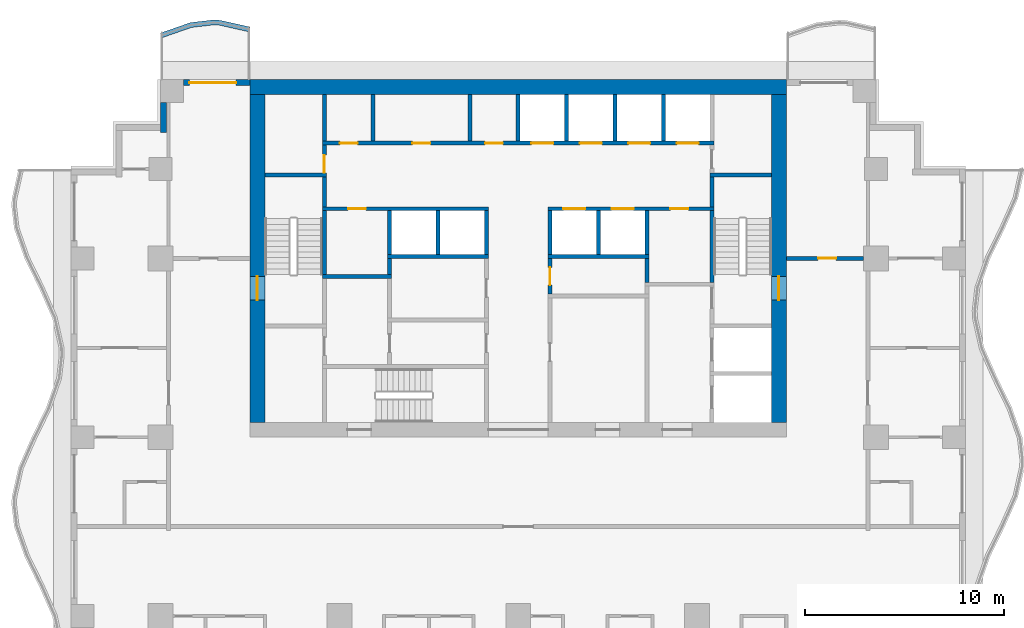
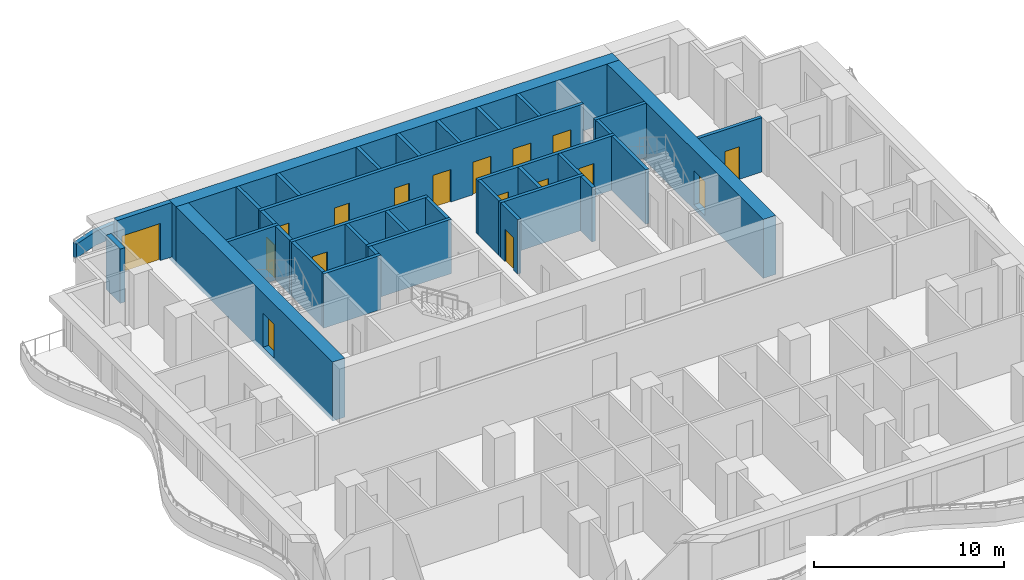
# One storey, part 5 of 10: 36 walls, 17 doors, 17 openings.
"""IFC4 building model written with IfcOpenShell, lengths in metres."""

from ifc_helpers import new_model, si_unit, direction, frame, frame_2d, origin, place, context, subcontext, project, spatial, polyline, rectangle, outline, extrude, material, layer, layer_set, type_object, element, fill, save


model = new_model("IFC4")

# Units and contexts
model_context = context("Model", 3, precision=1e-05, world=origin(), true_north=direction((0.0, 1.0)))
body_context = subcontext(model_context, "Body", "Model", "MODEL_VIEW")
ifc_project = project(units=[si_unit("LENGTHUNIT", "METRE"), si_unit("AREAUNIT", "SQUARE_METRE"), si_unit("VOLUMEUNIT", "CUBIC_METRE"), si_unit("PLANEANGLEUNIT", "RADIAN"), si_unit("MASSUNIT", "GRAM", prefix="KILO")], contexts=[model_context])

# Site, building, storey
site_placement = place(None, origin())
site = spatial("IfcSite", under=ifc_project, at=site_placement, CompositionType="ELEMENT")
building_placement = place(site_placement, origin())
building = spatial("IfcBuilding", under=site, at=building_placement, Name="Orbiselva Terraces", CompositionType="ELEMENT")
storey_placement = place(building_placement, frame((0.0, 0.0, 147.8)))
storey = spatial("IfcBuildingStorey", under=building, at=storey_placement, Name="L37", CompositionType="ELEMENT", Elevation=147.8)

# Wall, opening, door
ifc_material_1 = material(Name="Concrete C80/95", Category="concrete")
ifc_layer_1 = layer(ifc_material_1, 0.75)
ifc_layer_set_1 = layer_set([ifc_layer_1], Name="Concrete C80/95")
wall_type_1 = type_object("IfcWallType", Name="CORE WALL 750", PredefinedType="SHEAR", material=ifc_layer_set_1)
wall_1_placement = place(storey_placement, frame((13.125, 5.25, -0.3), z_axis=(0.0, 0.0, 1.0), x_axis=(0.0, 1.0, 0.0)))
wall_1 = element("IfcWall", 1, at=wall_1_placement, inside=storey, type_object=wall_type_1, Name="Core wall L37 east", PredefinedType="SHEAR", context=body_context, shape_type="SweptSolid", body=[
    extrude(rectangle(XDim=16.5, YDim=0.75, at=frame_2d((8.25, 0.0))), origin(), (0.0, 0.0, 1.0), 3.8),
])
opening_1_placement = place(wall_1_placement, frame((6.15, 0.0, 0.3)))
opening_1 = element("IfcOpeningElement", 2, at=opening_1_placement, cuts=wall_1, Name="Opening DS1200", PredefinedType="OPENING", context=body_context, shape_type="SweptSolid", body=[
    extrude(rectangle(XDim=1.2, YDim=2.2, at=frame_2d((0.6, 1.1))), frame((0.0, 0.385, 0.0), z_axis=(0.0, -1.0, 0.0), x_axis=(1.0, 0.0, 0.0)), (0.0, 0.0, 1.0), 0.77),
])
ifc_material_2 = material(Name="Steel fire door", Category="steel")
door_type_1 = type_object("IfcDoorType", Name="STAIR DOOR 1200", OperationType="NOTDEFINED", PredefinedType="DOOR", material=ifc_material_2)
door_1_placement = place(opening_1_placement, frame((1.2, 0.0, 0.0), z_axis=(0.0, 0.0, 1.0), x_axis=(-1.0, 0.0, 0.0)))
door_1 = element("IfcDoor", 3, at=door_1_placement, inside=storey, type_object=door_type_1, Name="L37 EXIT STAIR S2 door", OperationType="SINGLE_SWING_LEFT", OverallHeight=2.2, OverallWidth=1.2, PredefinedType="DOOR", context=body_context, shape_type="SweptSolid", body=[
    extrude(rectangle(XDim=1.2, YDim=2.2, at=frame_2d((0.6, 1.1))), frame((0.0, 0.025, 0.0), z_axis=(0.0, -1.0, 0.0), x_axis=(1.0, 0.0, 0.0)), (0.0, 0.0, 1.0), 0.05),
])
fill(opening_1, door_1)

wall_2_placement = place(storey_placement, frame((-13.125, 21.75, -0.3), z_axis=(0.0, 0.0, 1.0), x_axis=(0.0, -1.0, 0.0)))
wall_2 = element("IfcWall", 4, at=wall_2_placement, inside=storey, type_object=wall_type_1, Name="Core wall L37 west", PredefinedType="SHEAR", context=body_context, shape_type="SweptSolid", body=[
    extrude(rectangle(XDim=16.5, YDim=0.75, at=frame_2d((8.25, 0.0))), origin(), (0.0, 0.0, 1.0), 3.8),
])
opening_2_placement = place(wall_2_placement, frame((9.15, 0.0, 0.3)))
opening_2 = element("IfcOpeningElement", 5, at=opening_2_placement, cuts=wall_2, Name="Opening DS1200", PredefinedType="OPENING", context=body_context, shape_type="SweptSolid", body=[
    extrude(rectangle(XDim=1.2, YDim=2.2, at=frame_2d((0.6, 1.1))), frame((0.0, 0.385, 0.0), z_axis=(0.0, -1.0, 0.0), x_axis=(1.0, 0.0, 0.0)), (0.0, 0.0, 1.0), 0.77),
])
door_2_placement = place(opening_2_placement, frame((1.2, 0.0, 0.0), z_axis=(0.0, 0.0, 1.0), x_axis=(-1.0, 0.0, 0.0)))
door_2 = element("IfcDoor", 6, at=door_2_placement, inside=storey, type_object=door_type_1, Name="L37 EXIT STAIR S1 door", OperationType="SINGLE_SWING_RIGHT", OverallHeight=2.2, OverallWidth=1.2, PredefinedType="DOOR", context=body_context, shape_type="SweptSolid", body=[
    extrude(rectangle(XDim=1.2, YDim=2.2, at=frame_2d((0.6, 1.1))), frame((0.0, 0.025, 0.0), z_axis=(0.0, -1.0, 0.0), x_axis=(1.0, 0.0, 0.0)), (0.0, 0.0, 1.0), 0.05),
])
fill(opening_2, door_2)

# Wall
ifc_layer_2 = layer(ifc_material_1, 0.75)
ifc_layer_set_2 = layer_set([ifc_layer_2], Name="Concrete C80/95")
wall_type_2 = type_object("IfcWallType", Name="CORE WALL 750 EXTERNAL", PredefinedType="SHEAR", material=ifc_layer_set_2)
wall_3_placement = place(storey_placement, frame((13.5, 22.125, -0.3), z_axis=(0.0, 0.0, 1.0), x_axis=(-1.0, 0.0, 0.0)))
element("IfcWall", 7, at=wall_3_placement, inside=storey, type_object=wall_type_2, Name="Core wall L37 north", PredefinedType="SHEAR", context=body_context, shape_type="SweptSolid", body=[
    extrude(rectangle(XDim=27.0, YDim=0.75, at=frame_2d((13.5, 0.0))), origin(), (0.0, 0.0, 1.0), 3.8),
])

# Wall, opening, door
ifc_material_3 = material(Name="Masonry blockwork", Category="masonry")
ifc_layer_3 = layer(ifc_material_3, 0.2)
ifc_layer_set_3 = layer_set([ifc_layer_3], Name="Masonry blockwork")
wall_type_3 = type_object("IfcWallType", Name="CORE-WALL-PARTITION-200", PredefinedType="PARTITIONING", material=ifc_layer_set_3)
wall_4_placement = place(storey_placement, frame((-9.75, 17.8, 0.0), z_axis=(0.0, 0.0, 1.0), x_axis=(0.0, 1.0, 0.0)))
wall_4 = element("IfcWall", 8, at=wall_4_placement, inside=storey, type_object=wall_type_3, Name="L37 core wall 11", PredefinedType="PARTITIONING", context=body_context, shape_type="SweptSolid", body=[
    extrude(rectangle(XDim=1.4, YDim=0.2, at=frame_2d((0.7, 0.0))), origin(), (0.0, 0.0, 1.0), 3.5),
])
opening_3_placement = place(wall_4_placement, origin())
opening_3 = element("IfcOpeningElement", 9, at=opening_3_placement, cuts=wall_4, Name="Opening DR900", PredefinedType="OPENING", context=body_context, shape_type="SweptSolid", body=[
    extrude(rectangle(XDim=0.9, YDim=2.1, at=frame_2d((0.45, 1.05))), frame((0.0, 0.11, 0.0), z_axis=(0.0, -1.0, 0.0), x_axis=(1.0, 0.0, 0.0)), (0.0, 0.0, 1.0), 0.22),
])
door_type_2 = type_object("IfcDoorType", Name="ROOM DOOR 900", OperationType="NOTDEFINED", PredefinedType="DOOR", material=ifc_material_2)
door_3_placement = place(opening_3_placement, origin())
door_3 = element("IfcDoor", 10, at=door_3_placement, inside=storey, type_object=door_type_2, Name="L37 COMMS RISER ROOM door", OperationType="SINGLE_SWING_LEFT", OverallHeight=2.1, OverallWidth=0.9, PredefinedType="DOOR", context=body_context, shape_type="SweptSolid", body=[
    extrude(rectangle(XDim=0.9, YDim=2.1, at=frame_2d((0.45, 1.05))), frame((0.0, 0.025, 0.0), z_axis=(0.0, -1.0, 0.0), x_axis=(1.0, 0.0, 0.0)), (0.0, 0.0, 1.0), 0.05),
])
fill(opening_3, door_3)

# Walls
for number, where, z_axis, x_axis, name in (
    (11, (-9.75, 19.4, 0.0), (0.0, 0.0, 1.0), (0.0, 1.0, 0.0), "L37 core wall 13"),
    (12, (-7.3125, 19.4, 0.0), (0.0, 0.0, 1.0), (0.0, 1.0, 0.0), "L37 core wall 14"),
):
    element("IfcWall", number, at=place(storey_placement, frame(where, z_axis=z_axis, x_axis=x_axis)), inside=storey, type_object=wall_type_3, Name=name, PredefinedType="PARTITIONING", context=body_context, shape_type="SweptSolid", body=[
        extrude(rectangle(XDim=2.35, YDim=0.2, at=frame_2d((1.175, 0.0))), origin(), (0.0, 0.0, 1.0), 3.5),
    ])
wall_5_placement = place(storey_placement, frame((-6.475, 12.7, 0.0), z_axis=(0.0, 0.0, 1.0), x_axis=(0.0, 1.0, 0.0)))
element("IfcWall", 13, at=wall_5_placement, inside=storey, type_object=wall_type_3, Name="L37 core wall 18", PredefinedType="PARTITIONING", context=body_context, shape_type="SweptSolid", body=[
    extrude(rectangle(XDim=0.8, YDim=0.2, at=frame_2d((0.4, 0.0))), origin(), (0.0, 0.0, 1.0), 3.5),
])
wall_6_placement = place(storey_placement, frame((-2.4375, 19.4, 0.0), z_axis=(0.0, 0.0, 1.0), x_axis=(0.0, 1.0, 0.0)))
element("IfcWall", 14, at=wall_6_placement, inside=storey, type_object=wall_type_3, Name="L37 core wall 22", PredefinedType="PARTITIONING", context=body_context, shape_type="SweptSolid", body=[
    extrude(rectangle(XDim=2.35, YDim=0.2, at=frame_2d((1.175, 0.0))), origin(), (0.0, 0.0, 1.0), 3.5),
])

# Wall, opening, door
wall_7_placement = place(storey_placement, frame((1.6, 13.5, 0.0), z_axis=(0.0, 0.0, 1.0), x_axis=(0.0, -1.0, 0.0)))
wall_7 = element("IfcWall", 15, at=wall_7_placement, inside=storey, type_object=wall_type_3, Name="L37 core wall 30", PredefinedType="PARTITIONING", context=body_context, shape_type="SweptSolid", body=[
    extrude(rectangle(XDim=1.8, YDim=0.2, at=frame_2d((0.9, 0.0))), origin(), (0.0, 0.0, 1.0), 3.5),
])
opening_4_placement = place(wall_7_placement, frame((0.45, 0.0, 0.0)))
opening_4 = element("IfcOpeningElement", 16, at=opening_4_placement, cuts=wall_7, Name="Opening DR900", PredefinedType="OPENING", context=body_context, shape_type="SweptSolid", body=[
    extrude(rectangle(XDim=0.9, YDim=2.1, at=frame_2d((0.45, 1.05))), frame((0.0, 0.11, 0.0), z_axis=(0.0, -1.0, 0.0), x_axis=(1.0, 0.0, 0.0)), (0.0, 0.0, 1.0), 0.22),
])
door_4_placement = place(opening_4_placement, origin())
door_4 = element("IfcDoor", 17, at=door_4_placement, inside=storey, type_object=door_type_2, Name="L37 IT ROOM door", OperationType="SINGLE_SWING_LEFT", OverallHeight=2.1, OverallWidth=0.9, PredefinedType="DOOR", context=body_context, shape_type="SweptSolid", body=[
    extrude(rectangle(XDim=0.9, YDim=2.1, at=frame_2d((0.45, 1.05))), frame((0.0, 0.025, 0.0), z_axis=(0.0, -1.0, 0.0), x_axis=(1.0, 0.0, 0.0)), (0.0, 0.0, 1.0), 0.05),
])
fill(opening_4, door_4)

# Walls
wall_8_placement = place(storey_placement, frame((6.475, 12.3, 0.0), z_axis=(0.0, 0.0, 1.0), x_axis=(0.0, 1.0, 0.0)))
element("IfcWall", 18, at=wall_8_placement, inside=storey, type_object=wall_type_3, Name="L37 core wall 40", PredefinedType="PARTITIONING", context=body_context, shape_type="SweptSolid", body=[
    extrude(rectangle(XDim=1.2, YDim=0.2, at=frame_2d((0.6, 0.0))), origin(), (0.0, 0.0, 1.0), 3.5),
])
ifc_material_4 = material(Name="Concrete C40/50", Category="concrete")
ifc_layer_4 = layer(ifc_material_4, 0.2)
ifc_layer_set_4 = layer_set([ifc_layer_4], Name="Concrete C40/50")
wall_type_4 = type_object("IfcWallType", Name="CORE-WALL-SHAFT-200", PredefinedType="PARTITIONING", material=ifc_layer_set_4)
for number, where, z_axis, x_axis, name in (
    (19, (-6.475, 13.7, 0.0), (0.0, 0.0, 1.0), (0.0, 1.0, 0.0), "L37 core wall 20"),
    (20, (-4.0375, 13.7, 0.0), (0.0, 0.0, 1.0), (0.0, 1.0, 0.0), "L37 core wall 21"),
    (21, (-1.6, 13.7, 0.0), (0.0, 0.0, 1.0), (0.0, 1.0, 0.0), "L37 core wall 26"),
):
    element("IfcWall", number, at=place(storey_placement, frame(where, z_axis=z_axis, x_axis=x_axis)), inside=storey, type_object=wall_type_4, Name=name, PredefinedType="PARTITIONING", context=body_context, shape_type="SweptSolid", body=[
        extrude(rectangle(XDim=2.2, YDim=0.2, at=frame_2d((1.1, 0.0))), origin(), (0.0, 0.0, 1.0), 3.5),
    ])
wall_9_placement = place(storey_placement, frame((0.0, 19.4, 0.0), z_axis=(0.0, 0.0, 1.0), x_axis=(0.0, 1.0, 0.0)))
element("IfcWall", 22, at=wall_9_placement, inside=storey, type_object=wall_type_4, Name="L37 core wall 27", PredefinedType="PARTITIONING", context=body_context, shape_type="SweptSolid", body=[
    extrude(rectangle(XDim=2.35, YDim=0.2, at=frame_2d((1.175, 0.0))), origin(), (0.0, 0.0, 1.0), 3.5),
])
wall_10_placement = place(storey_placement, frame((1.6, 13.7, 0.0), z_axis=(0.0, 0.0, 1.0), x_axis=(0.0, 1.0, 0.0)))
element("IfcWall", 23, at=wall_10_placement, inside=storey, type_object=wall_type_4, Name="L37 core wall 32", PredefinedType="PARTITIONING", context=body_context, shape_type="SweptSolid", body=[
    extrude(rectangle(XDim=2.2, YDim=0.2, at=frame_2d((1.1, 0.0))), origin(), (0.0, 0.0, 1.0), 3.5),
])
wall_11_placement = place(storey_placement, frame((2.4375, 19.4, 0.0), z_axis=(0.0, 0.0, 1.0), x_axis=(0.0, 1.0, 0.0)))
element("IfcWall", 24, at=wall_11_placement, inside=storey, type_object=wall_type_4, Name="L37 core wall 34", PredefinedType="PARTITIONING", context=body_context, shape_type="SweptSolid", body=[
    extrude(rectangle(XDim=2.35, YDim=0.2, at=frame_2d((1.175, 0.0))), origin(), (0.0, 0.0, 1.0), 3.5),
])
wall_12_placement = place(storey_placement, frame((4.0375, 13.7, 0.0), z_axis=(0.0, 0.0, 1.0), x_axis=(0.0, 1.0, 0.0)))
element("IfcWall", 25, at=wall_12_placement, inside=storey, type_object=wall_type_4, Name="L37 core wall 35", PredefinedType="PARTITIONING", context=body_context, shape_type="SweptSolid", body=[
    extrude(rectangle(XDim=2.2, YDim=0.2, at=frame_2d((1.1, 0.0))), origin(), (0.0, 0.0, 1.0), 3.5),
])
wall_13_placement = place(storey_placement, frame((4.875, 19.4, 0.0), z_axis=(0.0, 0.0, 1.0), x_axis=(0.0, 1.0, 0.0)))
element("IfcWall", 26, at=wall_13_placement, inside=storey, type_object=wall_type_4, Name="L37 core wall 36", PredefinedType="PARTITIONING", context=body_context, shape_type="SweptSolid", body=[
    extrude(rectangle(XDim=2.35, YDim=0.2, at=frame_2d((1.175, 0.0))), origin(), (0.0, 0.0, 1.0), 3.5),
])
wall_14_placement = place(storey_placement, frame((6.475, 13.7, 0.0), z_axis=(0.0, 0.0, 1.0), x_axis=(0.0, 1.0, 0.0)))
element("IfcWall", 27, at=wall_14_placement, inside=storey, type_object=wall_type_4, Name="L37 core wall 41", PredefinedType="PARTITIONING", context=body_context, shape_type="SweptSolid", body=[
    extrude(rectangle(XDim=2.2, YDim=0.2, at=frame_2d((1.1, 0.0))), origin(), (0.0, 0.0, 1.0), 3.5),
])
wall_15_placement = place(storey_placement, frame((7.3125, 19.4, 0.0), z_axis=(0.0, 0.0, 1.0), x_axis=(0.0, 1.0, 0.0)))
element("IfcWall", 28, at=wall_15_placement, inside=storey, type_object=wall_type_4, Name="L37 core wall 42", PredefinedType="PARTITIONING", context=body_context, shape_type="SweptSolid", body=[
    extrude(rectangle(XDim=2.35, YDim=0.2, at=frame_2d((1.175, 0.0))), origin(), (0.0, 0.0, 1.0), 3.5),
])
ifc_material_5 = material(Name="Concrete C60/75", Category="concrete")
ifc_layer_5 = layer(ifc_material_5, 0.2)
ifc_layer_set_5 = layer_set([ifc_layer_5], Name="Concrete C60/75")
wall_type_5 = type_object("IfcWallType", Name="CORE-WALL-SHEAR-200", PredefinedType="SHEAR", material=ifc_layer_set_5)
wall_16_placement = place(storey_placement, frame((-12.75, 17.7, 0.0), z_axis=(0.0, 0.0, 1.0), x_axis=(1.0, 0.0, 0.0)))
element("IfcWall", 29, at=wall_16_placement, inside=storey, type_object=wall_type_5, Name="L37 core wall 02", PredefinedType="SHEAR", context=body_context, shape_type="SweptSolid", body=[
    extrude(rectangle(XDim=3.1, YDim=0.2, at=frame_2d((1.55, 0.0))), origin(), (0.0, 0.0, 1.0), 3.5),
])
wall_17_placement = place(storey_placement, frame((-9.85, 12.6, 0.0), z_axis=(0.0, 0.0, 1.0), x_axis=(1.0, 0.0, 0.0)))
element("IfcWall", 30, at=wall_17_placement, inside=storey, type_object=wall_type_5, Name="L37 core wall 07", PredefinedType="SHEAR", context=body_context, shape_type="SweptSolid", body=[
    extrude(rectangle(XDim=3.475, YDim=0.2, at=frame_2d((1.7375, 0.0))), origin(), (0.0, 0.0, 1.0), 3.5),
])
wall_18_placement = place(storey_placement, frame((-9.75, 12.7, 0.0), z_axis=(0.0, 0.0, 1.0), x_axis=(0.0, 1.0, 0.0)))
element("IfcWall", 31, at=wall_18_placement, inside=storey, type_object=wall_type_5, Name="L37 core wall 08", PredefinedType="SHEAR", context=body_context, shape_type="SweptSolid", body=[
    extrude(rectangle(XDim=3.2, YDim=0.2, at=frame_2d((1.6, 0.0))), origin(), (0.0, 0.0, 1.0), 3.5),
])

# Wall, opening, door
wall_19_placement = place(storey_placement, frame((-1.5, 16.0, 0.0), z_axis=(0.0, 0.0, 1.0), x_axis=(-1.0, 0.0, 0.0)))
wall_19 = element("IfcWall", 32, at=wall_19_placement, inside=storey, type_object=wall_type_5, Name="L37 core wall 09", PredefinedType="SHEAR", context=body_context, shape_type="SweptSolid", body=[
    extrude(rectangle(XDim=8.35, YDim=0.2, at=frame_2d((4.175, 0.0))), origin(), (0.0, 0.0, 1.0), 3.5),
])
opening_5_placement = place(wall_19_placement, frame((6.1625, 0.0, 0.0)))
opening_5 = element("IfcOpeningElement", 33, at=opening_5_placement, cuts=wall_19, Name="Opening DR900", PredefinedType="OPENING", context=body_context, shape_type="SweptSolid", body=[
    extrude(rectangle(XDim=0.9, YDim=2.1, at=frame_2d((0.45, 1.05))), frame((0.0, 0.11, 0.0), z_axis=(0.0, -1.0, 0.0), x_axis=(1.0, 0.0, 0.0)), (0.0, 0.0, 1.0), 0.22),
])
door_5_placement = place(opening_5_placement, origin())
door_5 = element("IfcDoor", 34, at=door_5_placement, inside=storey, type_object=door_type_2, Name="L37 IT ROOM door", OperationType="SINGLE_SWING_RIGHT", OverallHeight=2.1, OverallWidth=0.9, PredefinedType="DOOR", context=body_context, shape_type="SweptSolid", body=[
    extrude(rectangle(XDim=0.9, YDim=2.1, at=frame_2d((0.45, 1.05))), frame((0.0, 0.025, 0.0), z_axis=(0.0, -1.0, 0.0), x_axis=(1.0, 0.0, 0.0)), (0.0, 0.0, 1.0), 0.05),
])
fill(opening_5, door_5)

# Wall
wall_20_placement = place(storey_placement, frame((-9.75, 16.1, 0.0), z_axis=(0.0, 0.0, 1.0), x_axis=(0.0, 1.0, 0.0)))
element("IfcWall", 35, at=wall_20_placement, inside=storey, type_object=wall_type_5, Name="L37 core wall 10", PredefinedType="SHEAR", context=body_context, shape_type="SweptSolid", body=[
    extrude(rectangle(XDim=1.5, YDim=0.2, at=frame_2d((0.75, 0.0))), origin(), (0.0, 0.0, 1.0), 3.5),
])

# Wall, openings, doors
wall_21_placement = place(storey_placement, frame((-9.85, 19.3, 0.0), z_axis=(0.0, 0.0, 1.0), x_axis=(1.0, 0.0, 0.0)))
wall_21 = element("IfcWall", 36, at=wall_21_placement, inside=storey, type_object=wall_type_5, Name="L37 core wall 12", PredefinedType="SHEAR", context=body_context, shape_type="SweptSolid", body=[
    extrude(rectangle(XDim=19.7, YDim=0.2, at=frame_2d((9.85, 0.0))), origin(), (0.0, 0.0, 1.0), 3.5),
])
opening_6_placement = place(wall_21_placement, frame((10.51875, 0.0, 0.0)))
opening_6 = element("IfcOpeningElement", 37, at=opening_6_placement, cuts=wall_21, Name="Opening LD-HR1", PredefinedType="OPENING", context=body_context, shape_type="SweptSolid", body=[
    extrude(rectangle(XDim=1.1, YDim=2.1, at=frame_2d((0.55, 1.05))), frame((0.0, 0.11, 0.0), z_axis=(0.0, -1.0, 0.0), x_axis=(1.0, 0.0, 0.0)), (0.0, 0.0, 1.0), 0.22),
])
opening_7_placement = place(wall_21_placement, frame((12.95625, 0.0, 0.0)))
opening_7 = element("IfcOpeningElement", 38, at=opening_7_placement, cuts=wall_21, Name="Opening LD-HR2", PredefinedType="OPENING", context=body_context, shape_type="SweptSolid", body=[
    extrude(rectangle(XDim=1.1, YDim=2.1, at=frame_2d((0.55, 1.05))), frame((0.0, 0.11, 0.0), z_axis=(0.0, -1.0, 0.0), x_axis=(1.0, 0.0, 0.0)), (0.0, 0.0, 1.0), 0.22),
])
opening_8_placement = place(wall_21_placement, frame((15.39375, 0.0, 0.0)))
opening_8 = element("IfcOpeningElement", 39, at=opening_8_placement, cuts=wall_21, Name="Opening LD-HR3", PredefinedType="OPENING", context=body_context, shape_type="SweptSolid", body=[
    extrude(rectangle(XDim=1.1, YDim=2.1, at=frame_2d((0.55, 1.05))), frame((0.0, 0.11, 0.0), z_axis=(0.0, -1.0, 0.0), x_axis=(1.0, 0.0, 0.0)), (0.0, 0.0, 1.0), 0.22),
])
opening_9_placement = place(wall_21_placement, frame((17.83125, 0.0, 0.0)))
opening_9 = element("IfcOpeningElement", 40, at=opening_9_placement, cuts=wall_21, Name="Opening LD-HR4", PredefinedType="OPENING", context=body_context, shape_type="SweptSolid", body=[
    extrude(rectangle(XDim=1.1, YDim=2.1, at=frame_2d((0.55, 1.05))), frame((0.0, 0.11, 0.0), z_axis=(0.0, -1.0, 0.0), x_axis=(1.0, 0.0, 0.0)), (0.0, 0.0, 1.0), 0.22),
])
opening_10_placement = place(wall_21_placement, frame((0.8688, 0.0, 0.0)))
opening_10 = element("IfcOpeningElement", 41, at=opening_10_placement, cuts=wall_21, Name="Opening DR900", PredefinedType="OPENING", context=body_context, shape_type="SweptSolid", body=[
    extrude(rectangle(XDim=0.9, YDim=2.1, at=frame_2d((0.45, 1.05))), frame((0.0, 0.11, 0.0), z_axis=(0.0, -1.0, 0.0), x_axis=(1.0, 0.0, 0.0)), (0.0, 0.0, 1.0), 0.22),
])
opening_11_placement = place(wall_21_placement, frame((4.525, 0.0, 0.0)))
opening_11 = element("IfcOpeningElement", 42, at=opening_11_placement, cuts=wall_21, Name="Opening DR900", PredefinedType="OPENING", context=body_context, shape_type="SweptSolid", body=[
    extrude(rectangle(XDim=0.9, YDim=2.1, at=frame_2d((0.45, 1.05))), frame((0.0, 0.11, 0.0), z_axis=(0.0, -1.0, 0.0), x_axis=(1.0, 0.0, 0.0)), (0.0, 0.0, 1.0), 0.22),
])
opening_12_placement = place(wall_21_placement, frame((8.1812, 0.0, 0.0)))
opening_12 = element("IfcOpeningElement", 43, at=opening_12_placement, cuts=wall_21, Name="Opening DR900", PredefinedType="OPENING", context=body_context, shape_type="SweptSolid", body=[
    extrude(rectangle(XDim=0.9, YDim=2.1, at=frame_2d((0.45, 1.05))), frame((0.0, 0.11, 0.0), z_axis=(0.0, -1.0, 0.0), x_axis=(1.0, 0.0, 0.0)), (0.0, 0.0, 1.0), 0.22),
])
ifc_material_6 = material(Name="Stainless steel landing door", Category="steel")
door_type_3 = type_object("IfcDoorType", Name="LANDING DOOR 1100", OperationType="SLIDING_TO_LEFT", PredefinedType="DOOR", material=ifc_material_6)
door_6_placement = place(opening_6_placement, origin())
door_6 = element("IfcDoor", 44, at=door_6_placement, inside=storey, type_object=door_type_3, Name="L37 landing door HR1", OperationType="SLIDING_TO_RIGHT", OverallHeight=2.1, OverallWidth=1.1, PredefinedType="DOOR", context=body_context, shape_type="SweptSolid", body=[
    extrude(rectangle(XDim=1.1, YDim=2.1, at=frame_2d((0.55, 1.05))), frame((0.0, 0.025, 0.0), z_axis=(0.0, -1.0, 0.0), x_axis=(1.0, 0.0, 0.0)), (0.0, 0.0, 1.0), 0.05),
])
fill(opening_6, door_6)
door_7_placement = place(opening_7_placement, origin())
door_7 = element("IfcDoor", 45, at=door_7_placement, inside=storey, type_object=door_type_3, Name="L37 landing door HR2", OperationType="SLIDING_TO_RIGHT", OverallHeight=2.1, OverallWidth=1.1, PredefinedType="DOOR", context=body_context, shape_type="SweptSolid", body=[
    extrude(rectangle(XDim=1.1, YDim=2.1, at=frame_2d((0.55, 1.05))), frame((0.0, 0.025, 0.0), z_axis=(0.0, -1.0, 0.0), x_axis=(1.0, 0.0, 0.0)), (0.0, 0.0, 1.0), 0.05),
])
fill(opening_7, door_7)
door_8_placement = place(opening_8_placement, origin())
door_8 = element("IfcDoor", 46, at=door_8_placement, inside=storey, type_object=door_type_3, Name="L37 landing door HR3", OperationType="SLIDING_TO_RIGHT", OverallHeight=2.1, OverallWidth=1.1, PredefinedType="DOOR", context=body_context, shape_type="SweptSolid", body=[
    extrude(rectangle(XDim=1.1, YDim=2.1, at=frame_2d((0.55, 1.05))), frame((0.0, 0.025, 0.0), z_axis=(0.0, -1.0, 0.0), x_axis=(1.0, 0.0, 0.0)), (0.0, 0.0, 1.0), 0.05),
])
fill(opening_8, door_8)
door_9_placement = place(opening_9_placement, origin())
door_9 = element("IfcDoor", 47, at=door_9_placement, inside=storey, type_object=door_type_3, Name="L37 landing door HR4", OperationType="SLIDING_TO_RIGHT", OverallHeight=2.1, OverallWidth=1.1, PredefinedType="DOOR", context=body_context, shape_type="SweptSolid", body=[
    extrude(rectangle(XDim=1.1, YDim=2.1, at=frame_2d((0.55, 1.05))), frame((0.0, 0.025, 0.0), z_axis=(0.0, -1.0, 0.0), x_axis=(1.0, 0.0, 0.0)), (0.0, 0.0, 1.0), 0.05),
])
fill(opening_9, door_9)
door_10_placement = place(opening_10_placement, origin())
door_10 = element("IfcDoor", 48, at=door_10_placement, inside=storey, type_object=door_type_2, Name="L37 STORE door", OperationType="SINGLE_SWING_LEFT", OverallHeight=2.1, OverallWidth=0.9, PredefinedType="DOOR", context=body_context, shape_type="SweptSolid", body=[
    extrude(rectangle(XDim=0.9, YDim=2.1, at=frame_2d((0.45, 1.05))), frame((0.0, 0.025, 0.0), z_axis=(0.0, -1.0, 0.0), x_axis=(1.0, 0.0, 0.0)), (0.0, 0.0, 1.0), 0.05),
])
fill(opening_10, door_10)
door_11_placement = place(opening_11_placement, origin())
door_11 = element("IfcDoor", 49, at=door_11_placement, inside=storey, type_object=door_type_2, Name="L37 IT ROOM door", OperationType="SINGLE_SWING_LEFT", OverallHeight=2.1, OverallWidth=0.9, PredefinedType="DOOR", context=body_context, shape_type="SweptSolid", body=[
    extrude(rectangle(XDim=0.9, YDim=2.1, at=frame_2d((0.45, 1.05))), frame((0.0, 0.025, 0.0), z_axis=(0.0, -1.0, 0.0), x_axis=(1.0, 0.0, 0.0)), (0.0, 0.0, 1.0), 0.05),
])
fill(opening_11, door_11)
door_12_placement = place(opening_12_placement, origin())
door_12 = element("IfcDoor", 50, at=door_12_placement, inside=storey, type_object=door_type_2, Name="L37 CLEANERS STORE door", OperationType="SINGLE_SWING_LEFT", OverallHeight=2.1, OverallWidth=0.9, PredefinedType="DOOR", context=body_context, shape_type="SweptSolid", body=[
    extrude(rectangle(XDim=0.9, YDim=2.1, at=frame_2d((0.45, 1.05))), frame((0.0, 0.025, 0.0), z_axis=(0.0, -1.0, 0.0), x_axis=(1.0, 0.0, 0.0)), (0.0, 0.0, 1.0), 0.05),
])
fill(opening_12, door_12)

# Walls
for number, where, z_axis, x_axis, name in (
    (51, (-6.575, 13.6, 0.0), (0.0, 0.0, 1.0), (1.0, 0.0, 0.0), "L37 core wall 19"),
    (52, (1.5, 13.6, 0.0), (0.0, 0.0, 1.0), (1.0, 0.0, 0.0), "L37 core wall 31"),
):
    element("IfcWall", number, at=place(storey_placement, frame(where, z_axis=z_axis, x_axis=x_axis)), inside=storey, type_object=wall_type_5, Name=name, PredefinedType="SHEAR", context=body_context, shape_type="SweptSolid", body=[
        extrude(rectangle(XDim=5.075, YDim=0.2, at=frame_2d((2.5375, 0.0))), origin(), (0.0, 0.0, 1.0), 3.5),
    ])

# Wall, openings, doors
wall_22_placement = place(storey_placement, frame((9.85, 16.0, 0.0), z_axis=(0.0, 0.0, 1.0), x_axis=(-1.0, 0.0, 0.0)))
wall_22 = element("IfcWall", 53, at=wall_22_placement, inside=storey, type_object=wall_type_5, Name="L37 core wall 33", PredefinedType="SHEAR", context=body_context, shape_type="SweptSolid", body=[
    extrude(rectangle(XDim=8.35, YDim=0.2, at=frame_2d((4.175, 0.0))), origin(), (0.0, 0.0, 1.0), 3.5),
])
opening_13_placement = place(wall_22_placement, frame((6.48125, 0.0, 0.0)))
opening_13 = element("IfcOpeningElement", 54, at=opening_13_placement, cuts=wall_22, Name="Opening LD-HR5", PredefinedType="OPENING", context=body_context, shape_type="SweptSolid", body=[
    extrude(rectangle(XDim=1.1, YDim=2.1, at=frame_2d((0.55, 1.05))), frame((0.0, 0.11, 0.0), z_axis=(0.0, -1.0, 0.0), x_axis=(1.0, 0.0, 0.0)), (0.0, 0.0, 1.0), 0.22),
])
opening_14_placement = place(wall_22_placement, frame((4.04375, 0.0, 0.0)))
opening_14 = element("IfcOpeningElement", 55, at=opening_14_placement, cuts=wall_22, Name="Opening LD-HR6", PredefinedType="OPENING", context=body_context, shape_type="SweptSolid", body=[
    extrude(rectangle(XDim=1.1, YDim=2.1, at=frame_2d((0.55, 1.05))), frame((0.0, 0.11, 0.0), z_axis=(0.0, -1.0, 0.0), x_axis=(1.0, 0.0, 0.0)), (0.0, 0.0, 1.0), 0.22),
])
opening_15_placement = place(wall_22_placement, frame((1.2875, 0.0, 0.0)))
opening_15 = element("IfcOpeningElement", 56, at=opening_15_placement, cuts=wall_22, Name="Opening DR900", PredefinedType="OPENING", context=body_context, shape_type="SweptSolid", body=[
    extrude(rectangle(XDim=0.9, YDim=2.1, at=frame_2d((0.45, 1.05))), frame((0.0, 0.11, 0.0), z_axis=(0.0, -1.0, 0.0), x_axis=(1.0, 0.0, 0.0)), (0.0, 0.0, 1.0), 0.22),
])
door_13_placement = place(opening_13_placement, origin())
door_13 = element("IfcDoor", 57, at=door_13_placement, inside=storey, type_object=door_type_3, Name="L37 landing door HR5", OperationType="SLIDING_TO_RIGHT", OverallHeight=2.1, OverallWidth=1.1, PredefinedType="DOOR", context=body_context, shape_type="SweptSolid", body=[
    extrude(rectangle(XDim=1.1, YDim=2.1, at=frame_2d((0.55, 1.05))), frame((0.0, 0.025, 0.0), z_axis=(0.0, -1.0, 0.0), x_axis=(1.0, 0.0, 0.0)), (0.0, 0.0, 1.0), 0.05),
])
fill(opening_13, door_13)
door_14_placement = place(opening_14_placement, origin())
door_14 = element("IfcDoor", 58, at=door_14_placement, inside=storey, type_object=door_type_3, Name="L37 landing door HR6", OperationType="SLIDING_TO_RIGHT", OverallHeight=2.1, OverallWidth=1.1, PredefinedType="DOOR", context=body_context, shape_type="SweptSolid", body=[
    extrude(rectangle(XDim=1.1, YDim=2.1, at=frame_2d((0.55, 1.05))), frame((0.0, 0.025, 0.0), z_axis=(0.0, -1.0, 0.0), x_axis=(1.0, 0.0, 0.0)), (0.0, 0.0, 1.0), 0.05),
])
fill(opening_14, door_14)
door_15_placement = place(opening_15_placement, origin())
door_15 = element("IfcDoor", 59, at=door_15_placement, inside=storey, type_object=door_type_2, Name="L37 PIPE RISER ROOM door", OperationType="SINGLE_SWING_LEFT", OverallHeight=2.1, OverallWidth=0.9, PredefinedType="DOOR", context=body_context, shape_type="SweptSolid", body=[
    extrude(rectangle(XDim=0.9, YDim=2.1, at=frame_2d((0.45, 1.05))), frame((0.0, 0.025, 0.0), z_axis=(0.0, -1.0, 0.0), x_axis=(1.0, 0.0, 0.0)), (0.0, 0.0, 1.0), 0.05),
])
fill(opening_15, door_15)

# Walls
wall_23_placement = place(storey_placement, frame((9.75, 12.3, 0.0), z_axis=(0.0, 0.0, 1.0), x_axis=(0.0, 1.0, 0.0)))
element("IfcWall", 60, at=wall_23_placement, inside=storey, type_object=wall_type_5, Name="L37 core wall 48", PredefinedType="SHEAR", context=body_context, shape_type="SweptSolid", body=[
    extrude(rectangle(XDim=3.6, YDim=0.2, at=frame_2d((1.8, 0.0))), origin(), (0.0, 0.0, 1.0), 3.5),
])
wall_24_placement = place(storey_placement, frame((9.75, 16.1, 0.0), z_axis=(0.0, 0.0, 1.0), x_axis=(0.0, 1.0, 0.0)))
element("IfcWall", 61, at=wall_24_placement, inside=storey, type_object=wall_type_5, Name="L37 core wall 49", PredefinedType="SHEAR", context=body_context, shape_type="SweptSolid", body=[
    extrude(rectangle(XDim=1.5, YDim=0.2, at=frame_2d((0.75, 0.0))), origin(), (0.0, 0.0, 1.0), 3.5),
])
wall_25_placement = place(storey_placement, frame((9.65, 17.7, 0.0), z_axis=(0.0, 0.0, 1.0), x_axis=(1.0, 0.0, 0.0)))
element("IfcWall", 62, at=wall_25_placement, inside=storey, type_object=wall_type_5, Name="L37 core wall 50", PredefinedType="SHEAR", context=body_context, shape_type="SweptSolid", body=[
    extrude(rectangle(XDim=3.1, YDim=0.2, at=frame_2d((1.55, 0.0))), origin(), (0.0, 0.0, 1.0), 3.5),
])
ifc_layer_6 = layer(ifc_material_4, 0.25)
ifc_layer_set_6 = layer_set([ifc_layer_6], Name="Concrete C40/50")
wall_type_6 = type_object("IfcWallType", Name="ENV-PLANTER-250x900", PredefinedType="USERDEFINED", material=ifc_layer_set_6)
wall_26_placement = place(storey_placement, origin())
element("IfcWall", 63, at=wall_26_placement, inside=storey, type_object=wall_type_6, Name="Balcony planter L37 NW", ObjectType="PLANTER", PredefinedType="USERDEFINED", context=body_context, shape_type="SweptSolid", body=[
    extrude(outline(polyline([(-13.5, 25.148528), (-15.0, 25.485226), (-15.375, 25.5), (-16.5, 25.369208), (-18.0, 24.844789), (-17.917494, 24.608796), (-16.443629, 25.124078), (-15.365428, 25.249429), (-15.032565, 25.236315), (-13.554754, 24.904598), (-13.5, 25.148528)])), origin(), (0.0, 0.0, 1.0), 0.9),
])

# Wall, opening, door
ifc_material_7 = material(Name="Terracotta cladding on masonry backing", Category="masonry")
ifc_layer_7 = layer(ifc_material_7, 0.3)
ifc_layer_set_7 = layer_set([ifc_layer_7], Name="Terracotta cladding on masonry backing")
wall_type_7 = type_object("IfcWallType", Name="ENV-WALL-TERRACOTTA-300", PredefinedType="SOLIDWALL", material=ifc_layer_set_7)
wall_27_placement = place(storey_placement, frame((-16.85, 22.35, 0.0), z_axis=(0.0, 0.0, 1.0), x_axis=(1.0, 0.0, 0.0)))
wall_27 = element("IfcWall", 64, at=wall_27_placement, inside=storey, type_object=wall_type_7, Name="Facade wall L37 NW", PredefinedType="SOLIDWALL", context=body_context, shape_type="SweptSolid", body=[
    extrude(rectangle(XDim=3.35, YDim=0.3, at=frame_2d((1.675, 0.0))), origin(), (0.0, 0.0, 1.0), 3.5),
])
opening_16_placement = place(wall_27_placement, frame((0.3, 0.0, 0.0)))
opening_16 = element("IfcOpeningElement", 65, at=opening_16_placement, cuts=wall_27, Name="Opening Z3-C-E09", PredefinedType="OPENING", context=body_context, shape_type="SweptSolid", body=[
    extrude(rectangle(XDim=2.35, YDim=2.4, at=frame_2d((1.175, 1.2))), frame((0.0, 0.16, 0.0), z_axis=(0.0, -1.0, 0.0), x_axis=(1.0, 0.0, 0.0)), (0.0, 0.0, 1.0), 0.32),
])
ifc_material_8 = material(Name="Clear low-e glazing in aluminium frame", Category="aluminium")
door_type_4 = type_object("IfcDoorType", Name="BALCONY DOOR 2350 X 2400", OperationType="DOUBLE_DOOR_SLIDING", PredefinedType="DOOR", material=ifc_material_8)
door_16_placement = place(opening_16_placement, origin())
door_16 = element("IfcDoor", 66, at=door_16_placement, inside=storey, type_object=door_type_4, Name="Z3-C-E09", OperationType="SINGLE_SWING_LEFT", OverallHeight=2.4, OverallWidth=2.35, PredefinedType="DOOR", context=body_context, shape_type="SweptSolid", body=[
    extrude(rectangle(XDim=2.35, YDim=2.4, at=frame_2d((1.175, 1.2))), frame((0.0, 0.025, 0.0), z_axis=(0.0, -1.0, 0.0), x_axis=(1.0, 0.0, 0.0)), (0.0, 0.0, 1.0), 0.05),
])
fill(opening_16, door_16)

# Wall
wall_28_placement = place(storey_placement, frame((-17.85, 19.85, 0.0), z_axis=(0.0, 0.0, 1.0), x_axis=(0.0, 1.0, 0.0)))
element("IfcWall", 67, at=wall_28_placement, inside=storey, type_object=wall_type_7, Name="Facade wall L37 STEP", PredefinedType="SOLIDWALL", context=body_context, shape_type="SweptSolid", body=[
    extrude(rectangle(XDim=1.5, YDim=0.3, at=frame_2d((0.75, 0.0))), origin(), (0.0, 0.0, 1.0), 3.5),
])

# Wall, opening, door
ifc_material_9 = material(Name="Plasterboard on steel stud partition", Category="steel")
ifc_layer_8 = layer(ifc_material_9, 0.2)
ifc_layer_set_8 = layer_set([ifc_layer_8], Name="Plasterboard on steel stud partition")
wall_type_8 = type_object("IfcWallType", Name="UNIT-ENTRANCE-WALL-200", PredefinedType="PARTITIONING", material=ifc_layer_set_8)
wall_29_placement = place(storey_placement, frame((13.5, 13.5, 0.0), z_axis=(0.0, 0.0, 1.0), x_axis=(1.0, 0.0, 0.0)))
wall_29 = element("IfcWall", 68, at=wall_29_placement, inside=storey, type_object=wall_type_8, Name="PARTITION L37-032", PredefinedType="PARTITIONING", context=body_context, shape_type="SweptSolid", body=[
    extrude(rectangle(XDim=3.875, YDim=0.2, at=frame_2d((1.9375, 0.0))), origin(), (0.0, 0.0, 1.0), 3.5),
])
opening_17_placement = place(wall_29_placement, frame((1.6, 0.0, 0.0)))
opening_17 = element("IfcOpeningElement", 69, at=opening_17_placement, cuts=wall_29, Name="Opening Z3-C-02", PredefinedType="OPENING", context=body_context, shape_type="SweptSolid", body=[
    extrude(rectangle(XDim=0.9, YDim=2.1, at=frame_2d((0.45, 1.05))), frame((0.0, 0.11, 0.0), z_axis=(0.0, -1.0, 0.0), x_axis=(1.0, 0.0, 0.0)), (0.0, 0.0, 1.0), 0.22),
])
ifc_material_10 = material(Name="Painted timber door leaf", Category="wood")
door_type_5 = type_object("IfcDoorType", Name="SERVICE DOOR 900", OperationType="NOTDEFINED", PredefinedType="DOOR", material=ifc_material_10)
door_17_placement = place(opening_17_placement, origin())
door_17 = element("IfcDoor", 70, at=door_17_placement, inside=storey, type_object=door_type_5, Name="Z3-C-02", OperationType="SINGLE_SWING_RIGHT", OverallHeight=2.1, OverallWidth=0.9, PredefinedType="DOOR", context=body_context, shape_type="SweptSolid", body=[
    extrude(rectangle(XDim=0.9, YDim=2.1, at=frame_2d((0.45, 1.05))), frame((0.0, 0.025, 0.0), z_axis=(0.0, -1.0, 0.0), x_axis=(1.0, 0.0, 0.0)), (0.0, 0.0, 1.0), 0.05),
])
fill(opening_17, door_17)

save(model, "model.ifc")
